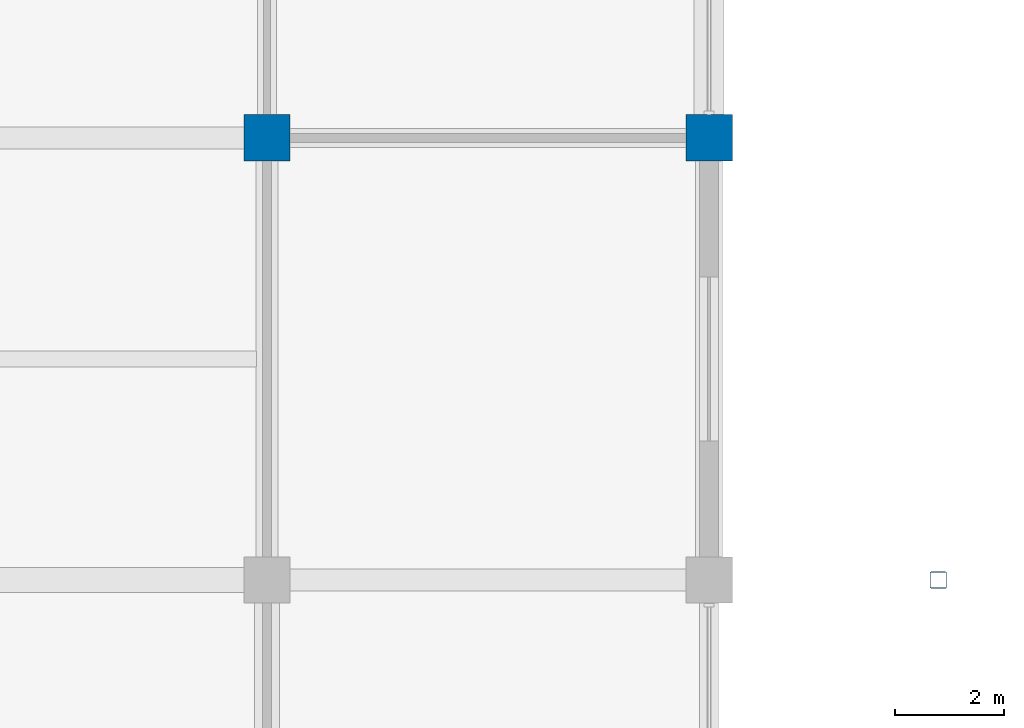
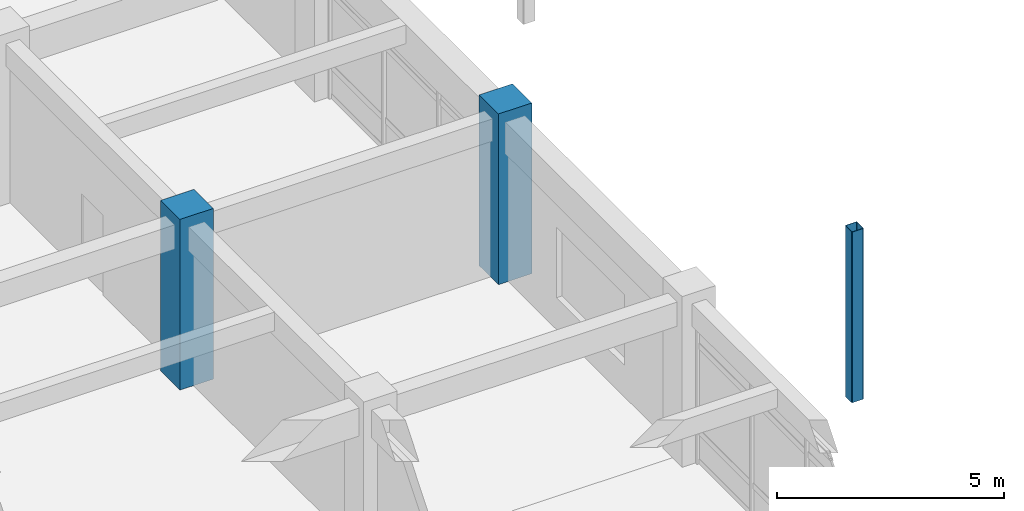
# One storey, part 11 of 93: 3 columns.
"""IFC4 building model written with IfcOpenShell, lengths in metres."""

from ifc_helpers import new_model, si_unit, direction, frame, origin, origin_2d, place, context, subcontext, project, spatial, rectangle, hollow_rectangle, extrude, material, material_profile, profile_set, type_object, element, save


model = new_model("IFC4")

# Units and contexts
model_context = context("Model", 3, precision=1e-05, world=origin(), true_north=direction((0.0, 1.0)))
body_context = subcontext(model_context, "Body", "Model", "MODEL_VIEW")
ifc_project = project(units=[si_unit("LENGTHUNIT", "METRE"), si_unit("AREAUNIT", "SQUARE_METRE"), si_unit("VOLUMEUNIT", "CUBIC_METRE"), si_unit("PLANEANGLEUNIT", "RADIAN"), si_unit("MASSUNIT", "GRAM", prefix="KILO")], contexts=[model_context])

# Site, building, storey
site_placement = place(None, origin())
site = spatial("IfcSite", under=ifc_project, at=site_placement, CompositionType="ELEMENT")
building_placement = place(site_placement, origin())
building = spatial("IfcBuilding", under=site, at=building_placement, Name="Vaudrelin Polytechnic", CompositionType="ELEMENT")
storey_placement = place(building_placement, frame((0.0, 0.0, 5.10009765625)))
storey = spatial("IfcBuildingStorey", under=building, at=storey_placement, Name="L01", CompositionType="ELEMENT", Elevation=5.10009765625)

# Columns
ifc_material_1 = material(Name="Steel CSA G40.21 350WT", Category="steel")
ifc_material_profile_1 = material_profile(ifc_material_1, hollow_rectangle(XDim=0.304931640625, YDim=0.304931640625, WallThickness=0.0126953125, InnerFilletRadius=0.0126953125, OuterFilletRadius=0.025390625, at=origin_2d()), Name="HSS305x305x12.7")
ifc_profile_set_1 = profile_set([ifc_material_profile_1], Name="Steel CSA G40.21 350WT")
column_type_1 = type_object("IfcColumnType", Name="COL-C-HSS305", PredefinedType="COLUMN", material=ifc_profile_set_1)
column_placement = place(storey_placement, frame((174.300048828125, 72.89990234375, 0.0), z_axis=(0.0, 0.0, 1.0), x_axis=(1.0, 0.0, 0.0)))
element("IfcColumn", 1, at=column_placement, inside=storey, type_object=column_type_1, Name="Deconstructivist column L01 E_OR2_1", PredefinedType="COLUMN", context=body_context, shape_type="SweptSolid", body=[
    extrude(hollow_rectangle(XDim=0.304931640625, YDim=0.304931640625, WallThickness=0.0126953125, InnerFilletRadius=0.0126953125, OuterFilletRadius=0.025390625, at=origin_2d()), origin(), (0.0, 0.0, 1.0), 4.58984375),
])
ifc_material_2 = material(Name="Concrete 50 MPa", Category="concrete")
ifc_material_profile_2 = material_profile(ifc_material_2, rectangle(XDim=0.85009765625, YDim=0.85009765625, at=origin_2d()), Name="RC850x850")
ifc_profile_set_2 = profile_set([ifc_material_profile_2], Name="Concrete 50 MPa")
column_type_2 = type_object("IfcColumnType", Name="COL-C-RC850", PredefinedType="COLUMN", material=ifc_profile_set_2)
for number, where, z_axis, x_axis, name in (
    (2, (162.0, 81.0, 0.0), (0.0, 0.0, 1.0), (1.0, 0.0, 0.0), "Column L01 21-11"),
    (3, (170.10009765625, 81.0, 0.0), (0.0, 0.0, 1.0), (1.0, 0.0, 0.0), "Column L01 22-11"),
):
    element("IfcColumn", number, at=place(storey_placement, frame(where, z_axis=z_axis, x_axis=x_axis)), inside=storey, type_object=column_type_2, Name=name, PredefinedType="COLUMN", context=body_context, shape_type="SweptSolid", body=[
        extrude(rectangle(XDim=0.85009765625, YDim=0.85009765625, at=origin_2d()), origin(), (0.0, 0.0, 1.0), 4.58984375),
    ])

save(model, "model.ifc")
